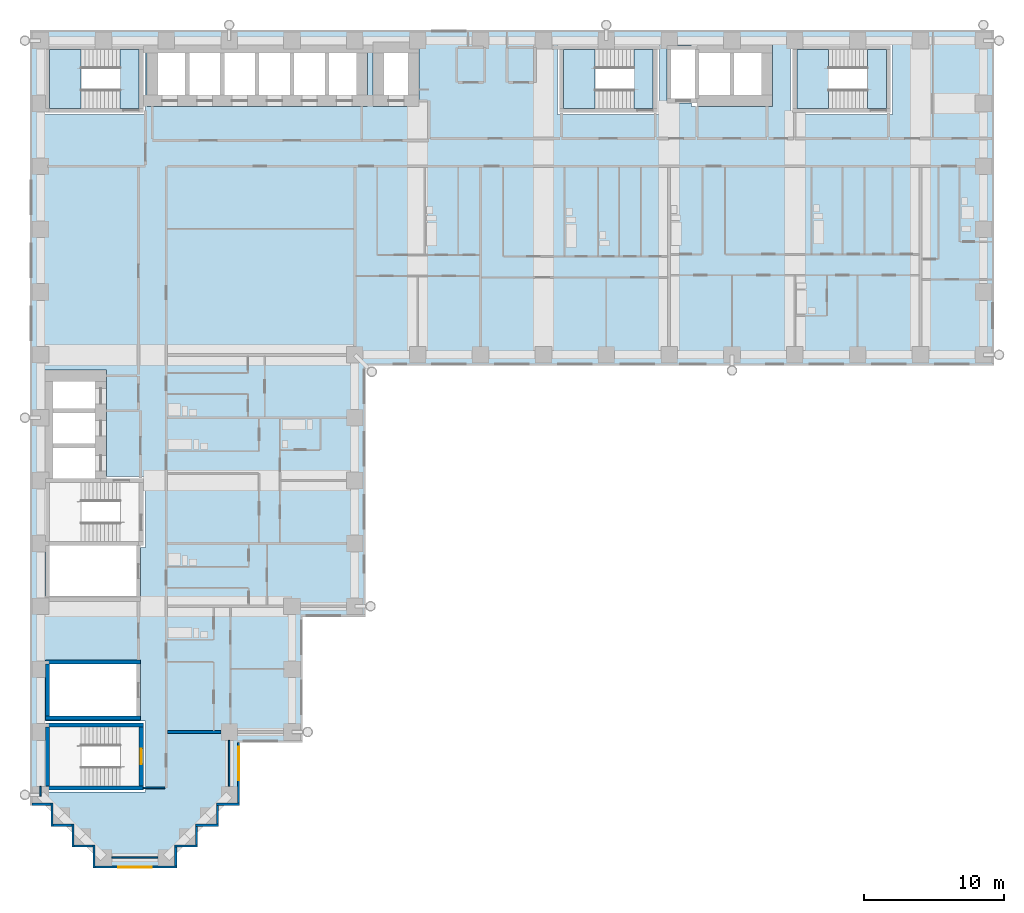
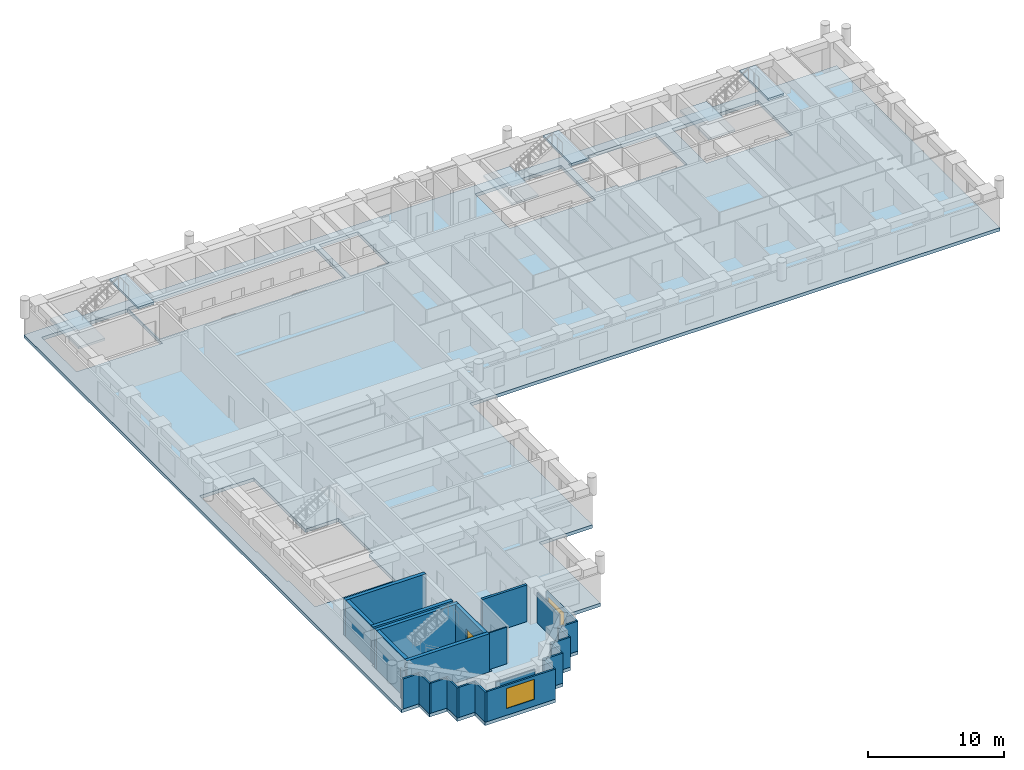
# One storey, part 4 of 14: 26 walls, 7 slabs, 2 windows, 1 door, 3 openings, 3 elements without a shape of their own.
"""IFC4 building model written with IfcOpenShell, lengths in metres."""

from ifc_helpers import new_model, si_unit, direction, frame, frame_2d, origin, place, context, subcontext, project, spatial, polyline, rectangle, outline, extrude, material, layer, layer_set, type_object, element, fill, aggregate, save


model = new_model("IFC4")

# Units and contexts
model_context = context("Model", 3, precision=1e-05, world=origin(), true_north=direction((0.0, 1.0)))
body_context = subcontext(model_context, "Body", "Model", "MODEL_VIEW")
ifc_project = project(units=[si_unit("LENGTHUNIT", "METRE"), si_unit("AREAUNIT", "SQUARE_METRE"), si_unit("VOLUMEUNIT", "CUBIC_METRE"), si_unit("PLANEANGLEUNIT", "RADIAN"), si_unit("MASSUNIT", "GRAM", prefix="KILO")], contexts=[model_context])

# Site, building, storey
site_placement = place(None, origin())
site = spatial("IfcSite", under=ifc_project, at=site_placement, CompositionType="ELEMENT")
building_placement = place(site_placement, origin())
building = spatial("IfcBuilding", under=site, at=building_placement, Name="Firuza Court", CompositionType="ELEMENT")
storey_placement = place(building_placement, frame((0.0, 0.0, 90.199951171875)))
storey = spatial("IfcBuildingStorey", under=building, at=storey_placement, Name="L22", CompositionType="ELEMENT", Elevation=90.199951171875)

# Slab
ifc_material_1 = material(Name="Concrete C40/50", Category="concrete")
ifc_layer_1 = layer(ifc_material_1, 0.300048828125)
ifc_layer_set_1 = layer_set([ifc_layer_1], Name="Concrete C40/50")
slab_type_1 = type_object("IfcSlabType", Name="Floor slab 300 C40/50", PredefinedType="FLOOR", material=ifc_layer_set_1)
slab_1_placement = place(storey_placement, frame((0.0, 0.0, -0.300048828125)))
element("IfcSlab", 1, at=slab_1_placement, inside=storey, type_object=slab_type_1, Name="Floor slab L22", PredefinedType="FLOOR", context=body_context, shape_type="SweptSolid", body=[
    extrude(outline(polyline([(3.75, -0.75), (3.75, 0.75), (2.25, 0.75), (2.25, 2.25), (0.75, 2.25), (0.75, 3.75), (-0.75, 3.75), (-0.75, 59.25), (68.25, 59.25), (68.25, 35.25), (23.25, 35.25), (23.25, 17.25), (18.75, 17.25), (18.75, 8.25), (14.25, 8.25), (14.25, 3.75), (12.75, 3.75), (12.75, 2.25), (11.25, 2.25), (11.25, 0.75), (9.75, 0.75), (9.75, -0.75), (3.75, -0.75)]), holes=[polyline([(7.5, 9.800048828125), (0.199951171875, 9.800048828125), (0.199951171875, 4.699951171875), (7.5, 4.699951171875), (7.5, 9.800048828125)]), polyline([(7.14990234375, 14.14990234375), (0.35009765625, 14.14990234375), (0.35009765625, 9.85009765625), (7.14990234375, 9.85009765625), (7.14990234375, 14.14990234375)]), polyline([(0.199951171875, 22.199951171875), (0.35009765625, 22.199951171875), (0.35009765625, 18.35009765625), (7.14990234375, 18.35009765625), (7.14990234375, 22.199951171875), (7.5, 22.199951171875), (7.5, 27.300048828125), (4.699951171875, 27.300048828125), (4.699951171875, 29.10009765625), (4.699951171875, 29.89990234375), (4.699951171875, 31.60009765625), (4.699951171875, 32.39990234375), (4.699951171875, 34.89990234375), (0.10009765625, 34.89990234375), (0.10009765625, 32.39990234375), (0.10009765625, 31.60009765625), (0.10009765625, 29.89990234375), (0.10009765625, 29.10009765625), (0.10009765625, 26.60009765625), (0.199951171875, 26.60009765625), (0.199951171875, 22.199951171875)]), polyline([(7.5, 58.300048828125), (0.199951171875, 58.300048828125), (0.199951171875, 53.199951171875), (7.5, 53.199951171875), (7.5, 58.300048828125)]), polyline([(10.10009765625, 58.39990234375), (7.60009765625, 58.39990234375), (7.60009765625, 53.800048828125), (10.10009765625, 53.800048828125), (10.89990234375, 53.800048828125), (12.60009765625, 53.800048828125), (13.39990234375, 53.800048828125), (15.10009765625, 53.800048828125), (15.89990234375, 53.800048828125), (17.60009765625, 53.800048828125), (18.39990234375, 53.800048828125), (20.10009765625, 53.800048828125), (20.89990234375, 53.800048828125), (23.39990234375, 53.800048828125), (23.39990234375, 58.39990234375), (20.89990234375, 58.39990234375), (20.10009765625, 58.39990234375), (18.39990234375, 58.39990234375), (17.60009765625, 58.39990234375), (15.89990234375, 58.39990234375), (15.10009765625, 58.39990234375), (13.39990234375, 58.39990234375), (12.60009765625, 58.39990234375), (10.89990234375, 58.39990234375), (10.10009765625, 58.39990234375)]), polyline([(44.300048828125, 58.300048828125), (37.0, 58.300048828125), (37.0, 53.199951171875), (44.300048828125, 53.199951171875), (44.300048828125, 58.300048828125)]), polyline([(61.0, 58.300048828125), (53.699951171875, 58.300048828125), (53.699951171875, 53.199951171875), (61.0, 53.199951171875), (61.0, 58.300048828125)]), polyline([(27.10009765625, 58.39990234375), (23.800048828125, 58.39990234375), (23.800048828125, 53.800048828125), (27.10009765625, 53.800048828125), (27.10009765625, 58.39990234375)]), polyline([(46.60009765625, 58.14990234375), (44.85009765625, 58.14990234375), (44.85009765625, 54.050048828125), (46.60009765625, 54.050048828125), (46.60009765625, 53.800048828125), (49.10009765625, 53.800048828125), (49.89990234375, 53.800048828125), (52.39990234375, 53.800048828125), (52.39990234375, 58.39990234375), (49.89990234375, 58.39990234375), (49.10009765625, 58.39990234375), (46.60009765625, 58.39990234375), (46.60009765625, 58.14990234375)])]), origin(), (0.0, 0.0, 1.0), 0.300048828125),
])

# Stair, slabs
ifc_material_2 = material(Name="Concrete C40/50 precast", Category="concrete")
stair_type = type_object("IfcStairType", Name="Stair 1350 x 3600 2 flights", PredefinedType="HALF_TURN_STAIR", material=ifc_material_2)
stair_1_placement = place(storey_placement, origin())
stair_1 = element("IfcStair", 2, at=stair_1_placement, inside=storey, type_object=stair_type, Name="Stair 1 L22", PredefinedType="HALF_TURN_STAIR")
ifc_material_3 = material(Name="Concrete C40/50 precast", Category="concrete")
ifc_layer_2 = layer(ifc_material_3, 0.199951171875)
ifc_layer_set_2 = layer_set([ifc_layer_2], Name="Concrete C40/50 precast")
slab_type_2 = type_object("IfcSlabType", Name="Stair landing 200", PredefinedType="LANDING", material=ifc_layer_set_2)
slab_2_placement = place(storey_placement, frame((0.0, 0.0, 1.60009765625)))
slab_2 = element("IfcSlab", 3, at=slab_2_placement, type_object=slab_type_2, Name="S1 landing 1", PredefinedType="LANDING", context=body_context, shape_type="SweptSolid", body=[
    extrude(outline(polyline([(39.699951171875, 53.64990234375), (39.699951171875, 57.85009765625), (37.449951171875, 57.85009765625), (37.449951171875, 53.64990234375), (39.699951171875, 53.64990234375)])), origin(), (0.0, 0.0, 1.0), 0.199951171875),
])
slab_3_placement = place(storey_placement, frame((0.0, 0.0, 3.400146484375)))
slab_3 = element("IfcSlab", 4, at=slab_3_placement, type_object=slab_type_2, Name="S1 landing 2", PredefinedType="LANDING", context=body_context, shape_type="SweptSolid", body=[
    extrude(outline(polyline([(43.85009765625, 53.64990234375), (43.85009765625, 57.85009765625), (42.5, 57.85009765625), (42.5, 53.64990234375), (43.85009765625, 53.64990234375)])), origin(), (0.0, 0.0, 1.0), 0.199951171875),
])
aggregate(stair_1, [slab_2, slab_3])

stair_2_placement = place(storey_placement, origin())
stair_2 = element("IfcStair", 5, at=stair_2_placement, inside=storey, type_object=stair_type, Name="Stair 3 L22", PredefinedType="HALF_TURN_STAIR")
slab_4_placement = place(storey_placement, frame((0.0, 0.0, 1.60009765625)))
slab_4 = element("IfcSlab", 6, at=slab_4_placement, type_object=slab_type_2, Name="S3 landing 1", PredefinedType="LANDING", context=body_context, shape_type="SweptSolid", body=[
    extrude(outline(polyline([(2.89990234375, 53.64990234375), (2.89990234375, 57.85009765625), (0.64990234375, 57.85009765625), (0.64990234375, 53.64990234375), (2.89990234375, 53.64990234375)])), origin(), (0.0, 0.0, 1.0), 0.199951171875),
])
slab_5_placement = place(storey_placement, frame((0.0, 0.0, 3.400146484375)))
slab_5 = element("IfcSlab", 7, at=slab_5_placement, type_object=slab_type_2, Name="S3 landing 2", PredefinedType="LANDING", context=body_context, shape_type="SweptSolid", body=[
    extrude(outline(polyline([(7.050048828125, 53.64990234375), (7.050048828125, 57.85009765625), (5.699951171875, 57.85009765625), (5.699951171875, 53.64990234375), (7.050048828125, 53.64990234375)])), origin(), (0.0, 0.0, 1.0), 0.199951171875),
])
aggregate(stair_2, [slab_4, slab_5])

stair_3_placement = place(storey_placement, origin())
stair_3 = element("IfcStair", 8, at=stair_3_placement, inside=storey, type_object=stair_type, Name="Stair 4 L22", PredefinedType="HALF_TURN_STAIR")
slab_6_placement = place(storey_placement, frame((0.0, 0.0, 1.60009765625)))
slab_6 = element("IfcSlab", 9, at=slab_6_placement, type_object=slab_type_2, Name="S4 landing 1", PredefinedType="LANDING", context=body_context, shape_type="SweptSolid", body=[
    extrude(outline(polyline([(56.39990234375, 53.64990234375), (56.39990234375, 57.85009765625), (54.14990234375, 57.85009765625), (54.14990234375, 53.64990234375), (56.39990234375, 53.64990234375)])), origin(), (0.0, 0.0, 1.0), 0.199951171875),
])
slab_7_placement = place(storey_placement, frame((0.0, 0.0, 3.400146484375)))
slab_7 = element("IfcSlab", 10, at=slab_7_placement, type_object=slab_type_2, Name="S4 landing 2", PredefinedType="LANDING", context=body_context, shape_type="SweptSolid", body=[
    extrude(outline(polyline([(60.550048828125, 53.64990234375), (60.550048828125, 57.85009765625), (59.199951171875, 57.85009765625), (59.199951171875, 53.64990234375), (60.550048828125, 53.64990234375)])), origin(), (0.0, 0.0, 1.0), 0.199951171875),
])
aggregate(stair_3, [slab_6, slab_7])

# Walls
ifc_material_4 = material(Name="Concrete C60/75", Category="concrete")
ifc_layer_3 = layer(ifc_material_4, 0.300048828125)
ifc_layer_set_3 = layer_set([ifc_layer_3], Name="Concrete C60/75")
wall_type_1 = type_object("IfcWallType", Name="Core wall 300 C60/75", PredefinedType="SHEAR", material=ifc_layer_set_3)
for number, where, z_axis, x_axis, name in (
    (11, (0.35009765625, 5.0, -0.300048828125), (0.0, 0.0, 1.0), (1.0, 0.0, 0.0), "Core wall stair L22"),
    (12, (0.35009765625, 9.5, -0.300048828125), (0.0, 0.0, 1.0), (1.0, 0.0, 0.0), "Core wall stair L22"),
):
    element("IfcWall", number, at=place(storey_placement, frame(where, z_axis=z_axis, x_axis=x_axis)), inside=storey, type_object=wall_type_1, Name=name, PredefinedType="SHEAR", context=body_context, shape_type="SweptSolid", body=[
        extrude(rectangle(XDim=7.0, YDim=0.300048828125, at=frame_2d((3.5, 0.0))), origin(), (0.0, 0.0, 1.0), 3.60009765625),
    ])
for number, where, z_axis, x_axis, name in (
    (13, (0.35009765625, 10.0, -0.300048828125), (0.0, 0.0, 1.0), (1.0, 0.0, 0.0), "Core wall riser L22"),
    (14, (0.35009765625, 14.0, -0.300048828125), (0.0, 0.0, 1.0), (1.0, 0.0, 0.0), "Core wall riser L22"),
):
    element("IfcWall", number, at=place(storey_placement, frame(where, z_axis=z_axis, x_axis=x_axis)), inside=storey, type_object=wall_type_1, Name=name, PredefinedType="SHEAR", context=body_context, shape_type="SweptSolid", body=[
        extrude(rectangle(XDim=6.7998046875, YDim=0.300048828125, at=frame_2d((3.39990234375, 0.0))), origin(), (0.0, 0.0, 1.0), 3.60009765625),
    ])
wall_1_placement = place(storey_placement, frame((0.5, 5.14990234375, -0.300048828125), z_axis=(0.0, 0.0, 1.0), x_axis=(0.0, 1.0, 0.0)))
element("IfcWall", 15, at=wall_1_placement, inside=storey, type_object=wall_type_1, Name="Core wall stair L22", PredefinedType="SHEAR", context=body_context, shape_type="SweptSolid", body=[
    extrude(rectangle(XDim=4.2001953125, YDim=0.300048828125, at=frame_2d((2.10009765625, 0.0))), origin(), (0.0, 0.0, 1.0), 3.60009765625),
])
wall_2_placement = place(storey_placement, frame((0.5, 10.14990234375, -0.300048828125), z_axis=(0.0, 0.0, 1.0), x_axis=(0.0, 1.0, 0.0)))
element("IfcWall", 16, at=wall_2_placement, inside=storey, type_object=wall_type_1, Name="Core wall riser L22", PredefinedType="SHEAR", context=body_context, shape_type="SweptSolid", body=[
    extrude(rectangle(XDim=3.7001953125, YDim=0.300048828125, at=frame_2d((1.85009765625, 0.0))), origin(), (0.0, 0.0, 1.0), 3.60009765625),
])

# Wall, opening, door
wall_3_placement = place(storey_placement, frame((7.199951171875, 5.14990234375, -0.300048828125), z_axis=(0.0, 0.0, 1.0), x_axis=(0.0, 1.0, 0.0)))
wall_3 = element("IfcWall", 17, at=wall_3_placement, inside=storey, type_object=wall_type_1, Name="Core wall stair L22", PredefinedType="SHEAR", context=body_context, shape_type="SweptSolid", body=[
    extrude(rectangle(XDim=4.2001953125, YDim=0.300048828125, at=frame_2d((2.10009765625, 0.0))), origin(), (0.0, 0.0, 1.0), 3.60009765625),
])
opening_1_placement = place(wall_3_placement, frame((1.550048828125, 0.0, 0.300048828125)))
opening_1 = element("IfcOpeningElement", 18, at=opening_1_placement, cuts=wall_3, Name="Opening D22018", PredefinedType="OPENING", context=body_context, shape_type="SweptSolid", body=[
    extrude(rectangle(XDim=1.10009765625, YDim=2.10009765625, at=frame_2d((0.550048828125, 1.050048828125))), frame((0.0, 0.162109375, 0.0), z_axis=(0.0, -1.0, 0.0), x_axis=(1.0, 0.0, 0.0)), (0.0, 0.0, 1.0), 0.323974609375),
])
ifc_material_5 = material(Name="Timber door leaf in hardwood frame", Category="wood")
door_type = type_object("IfcDoorType", Name="Stair door 1100", OperationType="SINGLE_SWING_LEFT", PredefinedType="DOOR", material=ifc_material_5)
door_placement = place(opening_1_placement, origin())
door = element("IfcDoor", 19, at=door_placement, inside=storey, type_object=door_type, Name="Stair door S5", OperationType="SINGLE_SWING_LEFT", OverallHeight=2.10009765625, OverallWidth=1.10009765625, PredefinedType="DOOR", context=body_context, shape_type="SweptSolid", body=[
    extrude(rectangle(XDim=1.10009765625, YDim=2.10009765625, at=frame_2d((0.550048828125, 1.050048828125))), frame((0.0, 0.02490234375, 0.0), z_axis=(0.0, -1.0, 0.0), x_axis=(1.0, 0.0, 0.0)), (0.0, 0.0, 1.0), 0.050048828125),
])
fill(opening_1, door)

# Walls
ifc_material_6 = material(Name="Timber stud partition, plasterboard both sides", Category="wood")
ifc_layer_4 = layer(ifc_material_6, 0.10009765625)
ifc_layer_set_4 = layer_set([ifc_layer_4], Name="Timber stud partition, plasterboard both sides")
wall_type_2 = type_object("IfcWallType", Name="Partition wall 100", PredefinedType="PARTITIONING", material=ifc_layer_set_4)
wall_4_placement = place(storey_placement, frame((5.10009765625, 0.0, 0.0), z_axis=(0.0, 0.0, 1.0), x_axis=(1.0, 0.0, 0.0)))
element("IfcWall", 20, at=wall_4_placement, inside=storey, type_object=wall_type_2, Name="Partition wall 100 L22", PredefinedType="PARTITIONING", context=body_context, shape_type="SweptSolid", body=[
    extrude(rectangle(XDim=3.2998046875, YDim=0.10009765625, at=frame_2d((1.64990234375, 0.0))), origin(), (0.0, 0.0, 1.0), 2.699951171875),
])
wall_5_placement = place(storey_placement, frame((0.0, 4.39990234375, 0.0), z_axis=(0.0, 0.0, 1.0), x_axis=(0.0, 1.0, 0.0)))
element("IfcWall", 21, at=wall_5_placement, inside=storey, type_object=wall_type_2, Name="Partition wall 100 L22", PredefinedType="PARTITIONING", context=body_context, shape_type="SweptSolid", body=[
    extrude(rectangle(XDim=0.7001953125, YDim=0.10009765625, at=frame_2d((0.35009765625, 0.0))), origin(), (0.0, 0.0, 1.0), 2.699951171875),
])
wall_6_placement = place(storey_placement, frame((7.34912109375, 5.0, 0.0), z_axis=(0.0, 0.0, 1.0), x_axis=(1.0, 0.0, 0.0)))
element("IfcWall", 22, at=wall_6_placement, inside=storey, type_object=wall_type_2, Name="Partition wall 100 L22", PredefinedType="PARTITIONING", context=body_context, shape_type="SweptSolid", body=[
    extrude(rectangle(XDim=1.55078125, YDim=0.10009765625, at=frame_2d((0.775390625, 0.0))), origin(), (0.0, 0.0, 1.0), 3.300048828125),
])
wall_7_placement = place(storey_placement, frame((13.5, 5.10009765625, 0.0), z_axis=(0.0, 0.0, 1.0), x_axis=(0.0, 1.0, 0.0)))
element("IfcWall", 23, at=wall_7_placement, inside=storey, type_object=wall_type_2, Name="Partition wall 100 L22", PredefinedType="PARTITIONING", context=body_context, shape_type="SweptSolid", body=[
    extrude(rectangle(XDim=3.2998046875, YDim=0.10009765625, at=frame_2d((1.64990234375, 0.0))), origin(), (0.0, 0.0, 1.0), 2.699951171875),
])
ifc_material_7 = material(Name="Blockwork, plastered both sides", Category="masonry")
ifc_layer_5 = layer(ifc_material_7, 0.199951171875)
ifc_layer_set_5 = layer_set([ifc_layer_5], Name="Blockwork, plastered both sides")
wall_type_3 = type_object("IfcWallType", Name="Party wall 200", PredefinedType="PARTITIONING", material=ifc_layer_set_5)
wall_8_placement = place(storey_placement, frame((9.10009765625, 9.0, 0.0), z_axis=(0.0, 0.0, 1.0), x_axis=(1.0, 0.0, 0.0)))
element("IfcWall", 24, at=wall_8_placement, inside=storey, type_object=wall_type_3, Name="Party wall 200 L22", PredefinedType="PARTITIONING", context=body_context, shape_type="SweptSolid", body=[
    extrude(rectangle(XDim=3.7998046875, YDim=0.199951171875, at=frame_2d((1.89990234375, 0.0))), origin(), (0.0, 0.0, 1.0), 3.300048828125),
])
ifc_material_8 = material(Name="Ceramic tile", Category="ceramic")
ifc_layer_6 = layer(ifc_material_8, 0.02001953125)
ifc_material_9 = material(Name="Mineral wool insulation", Category="insulation")
ifc_layer_7 = layer(ifc_material_9, 0.050048828125)
ifc_layer_8 = layer(ifc_material_3, 0.080078125)
ifc_layer_set_6 = layer_set([ifc_layer_6, ifc_layer_7, ifc_layer_8], Name="Concrete C40/50 precast")
wall_type_4 = type_object("IfcWallType", Name="Precast cladding wall with turquoise TILE PANEL face 150", PredefinedType="STANDARD", material=ifc_layer_set_6)
wall_9_placement = place(storey_placement, frame((9.675048828125, -0.60009765625, 0.0), z_axis=(0.0, 0.0, 1.0), x_axis=(0.0, 1.0, 0.0)))
element("IfcWall", 25, at=wall_9_placement, inside=storey, type_object=wall_type_4, Name="Facade wall L22 E", PredefinedType="STANDARD", context=body_context, shape_type="SweptSolid", body=[
    extrude(rectangle(XDim=1.35009765625, YDim=0.14990234375, at=frame_2d((0.675048828125, 0.0))), origin(), (0.0, 0.0, 1.0), 2.699951171875),
])
wall_10_placement = place(storey_placement, frame((9.60009765625, 0.824951171875, 0.0), z_axis=(0.0, 0.0, 1.0), x_axis=(1.0, 0.0, 0.0)))
element("IfcWall", 26, at=wall_10_placement, inside=storey, type_object=wall_type_4, Name="Facade wall L22 S", PredefinedType="STANDARD", context=body_context, shape_type="SweptSolid", body=[
    extrude(rectangle(XDim=1.64990234375, YDim=0.14990234375, at=frame_2d((0.824951171875, 0.0))), origin(), (0.0, 0.0, 1.0), 2.699951171875),
])
wall_11_placement = place(storey_placement, frame((11.175048828125, 0.89990234375, 0.0), z_axis=(0.0, 0.0, 1.0), x_axis=(0.0, 1.0, 0.0)))
element("IfcWall", 27, at=wall_11_placement, inside=storey, type_object=wall_type_4, Name="Facade wall L22 E", PredefinedType="STANDARD", context=body_context, shape_type="SweptSolid", body=[
    extrude(rectangle(XDim=1.35009765625, YDim=0.14990234375, at=frame_2d((0.675048828125, 0.0))), origin(), (0.0, 0.0, 1.0), 2.699951171875),
])
wall_12_placement = place(storey_placement, frame((11.10009765625, 2.324951171875, 0.0), z_axis=(0.0, 0.0, 1.0), x_axis=(1.0, 0.0, 0.0)))
element("IfcWall", 28, at=wall_12_placement, inside=storey, type_object=wall_type_4, Name="Facade wall L22 S", PredefinedType="STANDARD", context=body_context, shape_type="SweptSolid", body=[
    extrude(rectangle(XDim=1.64990234375, YDim=0.14990234375, at=frame_2d((0.824951171875, 0.0))), origin(), (0.0, 0.0, 1.0), 2.699951171875),
])
wall_13_placement = place(storey_placement, frame((12.675048828125, 2.39990234375, 0.0), z_axis=(0.0, 0.0, 1.0), x_axis=(0.0, 1.0, 0.0)))
element("IfcWall", 29, at=wall_13_placement, inside=storey, type_object=wall_type_4, Name="Facade wall L22 E", PredefinedType="STANDARD", context=body_context, shape_type="SweptSolid", body=[
    extrude(rectangle(XDim=1.35009765625, YDim=0.14990234375, at=frame_2d((0.675048828125, 0.0))), origin(), (0.0, 0.0, 1.0), 2.699951171875),
])
wall_14_placement = place(storey_placement, frame((12.60009765625, 3.824951171875, 0.0), z_axis=(0.0, 0.0, 1.0), x_axis=(1.0, 0.0, 0.0)))
element("IfcWall", 30, at=wall_14_placement, inside=storey, type_object=wall_type_4, Name="Facade wall L22 S", PredefinedType="STANDARD", context=body_context, shape_type="SweptSolid", body=[
    extrude(rectangle(XDim=1.64990234375, YDim=0.14990234375, at=frame_2d((0.824951171875, 0.0))), origin(), (0.0, 0.0, 1.0), 2.699951171875),
])

# Wall, opening, window
wall_15_placement = place(storey_placement, frame((14.175048828125, 3.89990234375, 0.0), z_axis=(0.0, 0.0, 1.0), x_axis=(0.0, 1.0, 0.0)))
wall_15 = element("IfcWall", 31, at=wall_15_placement, inside=storey, type_object=wall_type_4, Name="Facade wall L22 E", PredefinedType="STANDARD", context=body_context, shape_type="SweptSolid", body=[
    extrude(rectangle(XDim=4.35009765625, YDim=0.14990234375, at=frame_2d((2.175048828125, 0.0))), origin(), (0.0, 0.0, 1.0), 2.699951171875),
])
opening_2_placement = place(wall_15_placement, frame((1.64990234375, 0.0, 0.60009765625)))
opening_2 = element("IfcOpeningElement", 32, at=opening_2_placement, cuts=wall_15, Name="Opening W1", PredefinedType="OPENING", context=body_context, shape_type="SweptSolid", body=[
    extrude(rectangle(XDim=2.39990234375, YDim=1.800048828125, at=frame_2d((1.199951171875, 0.89990234375))), frame((0.0, 0.0869140625, 0.0), z_axis=(0.0, -1.0, 0.0), x_axis=(1.0, 0.0, 0.0)), (0.0, 0.0, 1.0), 0.173828125),
])
ifc_material_10 = material(Name="Aluminium frame, triple clear glazing", Category="aluminium")
window_type = type_object("IfcWindowType", Name="Window W1 2400 x 1800", PartitioningType="SINGLE_PANEL", PredefinedType="WINDOW", material=ifc_material_10)
window_1_placement = place(opening_2_placement, origin())
window_1 = element("IfcWindow", 33, at=window_1_placement, inside=storey, type_object=window_type, Name="Window L22", OverallHeight=1.800048828125, OverallWidth=2.39990234375, PartitioningType="SINGLE_PANEL", PredefinedType="WINDOW", context=body_context, shape_type="SweptSolid", body=[
    extrude(rectangle(XDim=2.39990234375, YDim=1.800048828125, at=frame_2d((1.199951171875, 0.89990234375))), frame((0.0, 0.030029296875, 0.0), z_axis=(0.0, -1.0, 0.0), x_axis=(1.0, 0.0, 0.0)), (0.0, 0.0, 1.0), 0.06005859375),
])
fill(opening_2, window_1)

# Walls
wall_16_placement = place(storey_placement, frame((-0.60009765625, 3.824951171875, 0.0), z_axis=(0.0, 0.0, 1.0), x_axis=(1.0, 0.0, 0.0)))
element("IfcWall", 34, at=wall_16_placement, inside=storey, type_object=wall_type_4, Name="Facade wall L22 S", PredefinedType="STANDARD", context=body_context, shape_type="SweptSolid", body=[
    extrude(rectangle(XDim=1.35009765625, YDim=0.14990234375, at=frame_2d((0.675048828125, 0.0))), origin(), (0.0, 0.0, 1.0), 2.699951171875),
])
wall_17_placement = place(storey_placement, frame((0.824951171875, 3.89990234375, 0.0), z_axis=(0.0, 0.0, 1.0), x_axis=(0.0, -1.0, 0.0)))
element("IfcWall", 35, at=wall_17_placement, inside=storey, type_object=wall_type_4, Name="Facade wall L22 W", PredefinedType="STANDARD", context=body_context, shape_type="SweptSolid", body=[
    extrude(rectangle(XDim=1.64990234375, YDim=0.14990234375, at=frame_2d((0.824951171875, 0.0))), origin(), (0.0, 0.0, 1.0), 2.699951171875),
])
wall_18_placement = place(storey_placement, frame((0.89990234375, 2.324951171875, 0.0), z_axis=(0.0, 0.0, 1.0), x_axis=(1.0, 0.0, 0.0)))
element("IfcWall", 36, at=wall_18_placement, inside=storey, type_object=wall_type_4, Name="Facade wall L22 S", PredefinedType="STANDARD", context=body_context, shape_type="SweptSolid", body=[
    extrude(rectangle(XDim=1.35009765625, YDim=0.14990234375, at=frame_2d((0.675048828125, 0.0))), origin(), (0.0, 0.0, 1.0), 2.699951171875),
])
wall_19_placement = place(storey_placement, frame((2.324951171875, 2.39990234375, 0.0), z_axis=(0.0, 0.0, 1.0), x_axis=(0.0, -1.0, 0.0)))
element("IfcWall", 37, at=wall_19_placement, inside=storey, type_object=wall_type_4, Name="Facade wall L22 W", PredefinedType="STANDARD", context=body_context, shape_type="SweptSolid", body=[
    extrude(rectangle(XDim=1.64990234375, YDim=0.14990234375, at=frame_2d((0.824951171875, 0.0))), origin(), (0.0, 0.0, 1.0), 2.699951171875),
])
wall_20_placement = place(storey_placement, frame((2.39990234375, 0.824951171875, 0.0), z_axis=(0.0, 0.0, 1.0), x_axis=(1.0, 0.0, 0.0)))
element("IfcWall", 38, at=wall_20_placement, inside=storey, type_object=wall_type_4, Name="Facade wall L22 S", PredefinedType="STANDARD", context=body_context, shape_type="SweptSolid", body=[
    extrude(rectangle(XDim=1.35009765625, YDim=0.14990234375, at=frame_2d((0.675048828125, 0.0))), origin(), (0.0, 0.0, 1.0), 2.699951171875),
])
wall_21_placement = place(storey_placement, frame((3.824951171875, 0.89990234375, 0.0), z_axis=(0.0, 0.0, 1.0), x_axis=(0.0, -1.0, 0.0)))
element("IfcWall", 39, at=wall_21_placement, inside=storey, type_object=wall_type_4, Name="Facade wall L22 W", PredefinedType="STANDARD", context=body_context, shape_type="SweptSolid", body=[
    extrude(rectangle(XDim=1.64990234375, YDim=0.14990234375, at=frame_2d((0.824951171875, 0.0))), origin(), (0.0, 0.0, 1.0), 2.699951171875),
])

# Wall, opening, window
wall_22_placement = place(storey_placement, frame((3.89990234375, -0.675048828125, 0.0), z_axis=(0.0, 0.0, 1.0), x_axis=(1.0, 0.0, 0.0)))
wall_22 = element("IfcWall", 40, at=wall_22_placement, inside=storey, type_object=wall_type_4, Name="Facade wall L22 S", PredefinedType="STANDARD", context=body_context, shape_type="SweptSolid", body=[
    extrude(rectangle(XDim=5.85009765625, YDim=0.14990234375, at=frame_2d((2.925048828125, 0.0))), origin(), (0.0, 0.0, 1.0), 2.699951171875),
])
opening_3_placement = place(wall_22_placement, frame((1.64990234375, 0.0, 0.60009765625)))
opening_3 = element("IfcOpeningElement", 41, at=opening_3_placement, cuts=wall_22, Name="Opening W1", PredefinedType="OPENING", context=body_context, shape_type="SweptSolid", body=[
    extrude(rectangle(XDim=2.39990234375, YDim=1.800048828125, at=frame_2d((1.199951171875, 0.89990234375))), frame((0.0, 0.0869140625, 0.0), z_axis=(0.0, -1.0, 0.0), x_axis=(1.0, 0.0, 0.0)), (0.0, 0.0, 1.0), 0.173828125),
])
window_2_placement = place(opening_3_placement, origin())
window_2 = element("IfcWindow", 42, at=window_2_placement, inside=storey, type_object=window_type, Name="Window L22", OverallHeight=1.800048828125, OverallWidth=2.39990234375, PartitioningType="SINGLE_PANEL", PredefinedType="WINDOW", context=body_context, shape_type="SweptSolid", body=[
    extrude(rectangle(XDim=2.39990234375, YDim=1.800048828125, at=frame_2d((1.199951171875, 0.89990234375))), frame((0.0, 0.030029296875, 0.0), z_axis=(0.0, -1.0, 0.0), x_axis=(1.0, 0.0, 0.0)), (0.0, 0.0, 1.0), 0.06005859375),
])
fill(opening_3, window_2)

save(model, "model.ifc")
